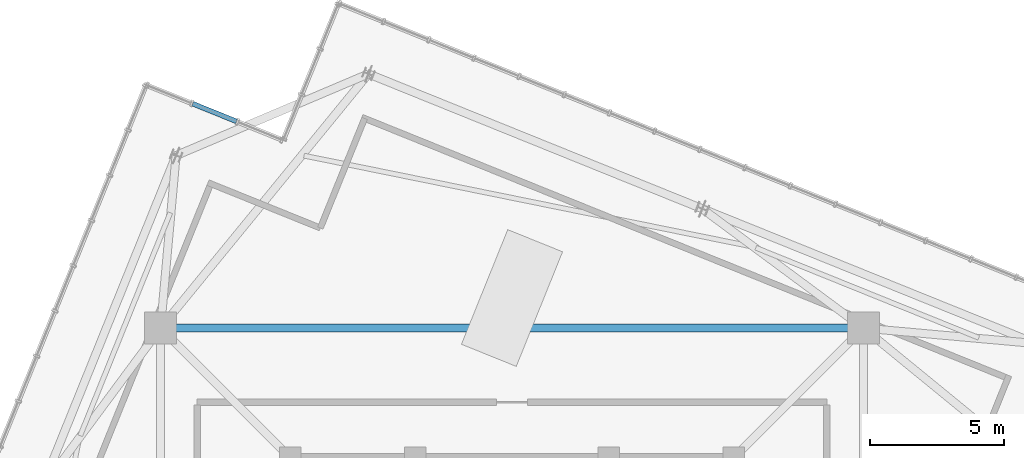
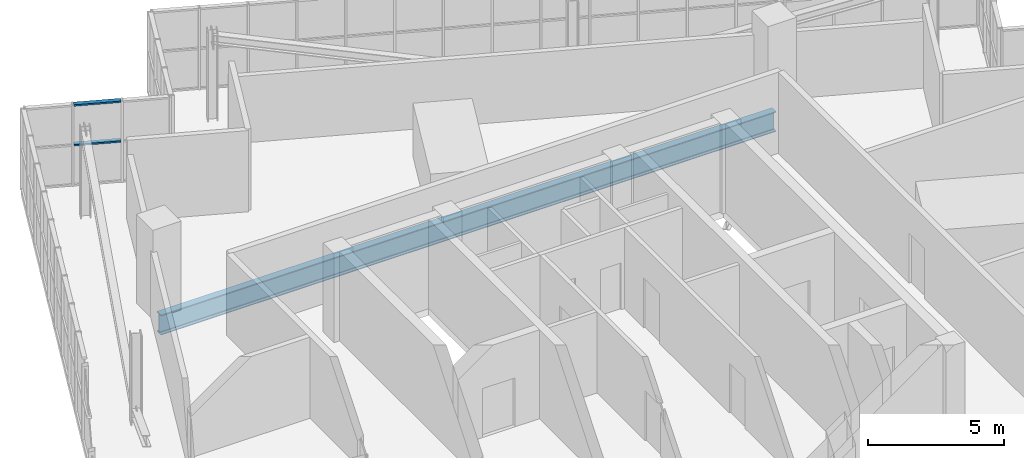
# One storey, part 13 of 26: 2 members, 1 beam, 1 element without a shape of its own.
"""IFC4 building model written with IfcOpenShell, lengths in metres."""

from ifc_helpers import new_model, si_unit, direction, frame, origin, origin_2d, place, context, subcontext, project, spatial, hollow_rectangle, i_section, extrude, source, transform, mapped, material, layer, layer_set, material_profile, profile_set, type_object, element, aggregate, save


model = new_model("IFC4")

# Units and contexts
model_context = context("Model", 3, precision=1e-05, world=origin(), true_north=direction((0.0, 1.0)))
body_context = subcontext(model_context, "Body", "Model", "MODEL_VIEW")
ifc_project = project(units=[si_unit("LENGTHUNIT", "METRE"), si_unit("AREAUNIT", "SQUARE_METRE"), si_unit("VOLUMEUNIT", "CUBIC_METRE"), si_unit("PLANEANGLEUNIT", "RADIAN"), si_unit("MASSUNIT", "GRAM", prefix="KILO"), si_unit("THERMODYNAMICTEMPERATUREUNIT", "KELVIN")], contexts=[model_context])

# Site, building, storey
site_placement = place(None, origin())
site = spatial("IfcSite", under=ifc_project, at=site_placement, CompositionType="ELEMENT")
building_placement = place(site_placement, origin())
building = spatial("IfcBuilding", under=site, at=building_placement, Name="Kosmvard Interchange Tower", CompositionType="ELEMENT")
storey_placement = place(building_placement, frame((0.0, 0.0, 341.60009765625)))
storey = spatial("IfcBuildingStorey", under=building, at=storey_placement, Name="L84", CompositionType="ELEMENT", Elevation=341.60009765625)

# Beam
ifc_material_1 = material(Name="Steel S355", Category="steel")
ifc_material_profile_1 = material_profile(ifc_material_1, i_section(OverallWidth=0.300048828125, OverallDepth=0.89990234375, WebThickness=0.0185546875, FlangeThickness=0.034912109375, FilletRadius=0.030029296875, at=origin_2d()), Name="HEB 900")
ifc_profile_set_1 = profile_set([ifc_material_profile_1], Name="Steel S355")
beam_type = type_object("IfcBeamType", Name="Mega-Column Ring Girder HEB 900 S355", PredefinedType="BEAM", material=ifc_profile_set_1)
shared_shape_1 = source(origin(), body_context, "Body", "SweptSolid", [
    extrude(i_section(OverallWidth=0.300048828125, OverallDepth=0.89990234375, WebThickness=0.0185546875, FlangeThickness=0.034912109375, FilletRadius=0.030029296875, at=origin_2d()), origin(), (0.0, 0.0, 1.0), 26.162109375),
])
beam_placement = place(storey_placement, frame((13.0810546875, 13.0810546875, -0.75), z_axis=(-1.0, 0.0, 0.0), x_axis=(0.0, -1.0, 0.0)))
element("IfcBeam", 1, at=beam_placement, inside=storey, type_object=beam_type, Name="L84 Mega-Column Ring Girder 3", PredefinedType="BEAM", context=body_context, shape_type="MappedRepresentation", body=[
    mapped(shared_shape_1, transform((0.0, 0.0, 0.0), scale=1.0)),
])

# Curtain wall, members
ifc_material_2 = material(Name="Architectural anodised aluminium", Category="aluminium")
ifc_layer = layer(ifc_material_2, 0.25, Name="Architectural anodised aluminium")
ifc_layer_set = layer_set([ifc_layer], Name="Architectural anodised aluminium")
curtain_wall_type = type_object("IfcCurtainWallType", Name="CW-6 Illuminated Crown Lantern Curtain Wall", PredefinedType="NOTDEFINED", material=ifc_layer_set)
curtain_wall_placement = place(storey_placement, origin())
curtain_wall = element("IfcCurtainWall", 2, at=curtain_wall_placement, inside=storey, type_object=curtain_wall_type, Name="L84 Crown Lantern Glazing Face 06", PredefinedType="NOTDEFINED")
ifc_material_profile_2 = material_profile(ifc_material_2, hollow_rectangle(XDim=0.179931640625, YDim=0.070068359375, WallThickness=0.0048828125, at=origin_2d()), Name="CWT 180x70x5")
ifc_profile_set_2 = profile_set([ifc_material_profile_2], Name="Architectural anodised aluminium")
member_type = type_object("IfcMemberType", Name="Heavy Lantern CW Transom 180x70 Aluminium", PredefinedType="USERDEFINED", material=ifc_profile_set_2)
shared_shape_2 = source(origin(), body_context, "Body", "SweptSolid", [
    extrude(hollow_rectangle(XDim=0.179931640625, YDim=0.070068359375, WallThickness=0.0048828125, at=origin_2d()), origin(), (0.0, 0.0, 1.0), 1.75341796875),
])
member_1_placement = place(storey_placement, frame((-10.257568359375, 20.775390625, 1.824951171875), z_axis=(-0.927203712676, 0.37455743912, 0.0), x_axis=(-0.37455743912, -0.927203712676, 0.0)))
member_1 = element("IfcMember", 3, at=member_1_placement, type_object=member_type, Name="CW-6 transom 2.2", ObjectType="TRANSOM", PredefinedType="USERDEFINED", context=body_context, shape_type="MappedRepresentation", body=[
    mapped(shared_shape_2, transform((0.0, 0.0, 0.0), scale=1.0)),
])
member_2_placement = place(storey_placement, frame((-10.257568359375, 20.775390625, 3.614990234375), z_axis=(-0.927203712676, 0.37455743912, 0.0), x_axis=(-0.37455743912, -0.927203712676, 0.0)))
member_2 = element("IfcMember", 4, at=member_2_placement, type_object=member_type, Name="CW-6 transom 2.3", ObjectType="TRANSOM", PredefinedType="USERDEFINED", context=body_context, shape_type="MappedRepresentation", body=[
    mapped(shared_shape_2, transform((0.0, 0.0, 0.0), scale=1.0)),
])
aggregate(curtain_wall, [member_1, member_2])

save(model, "model.ifc")
